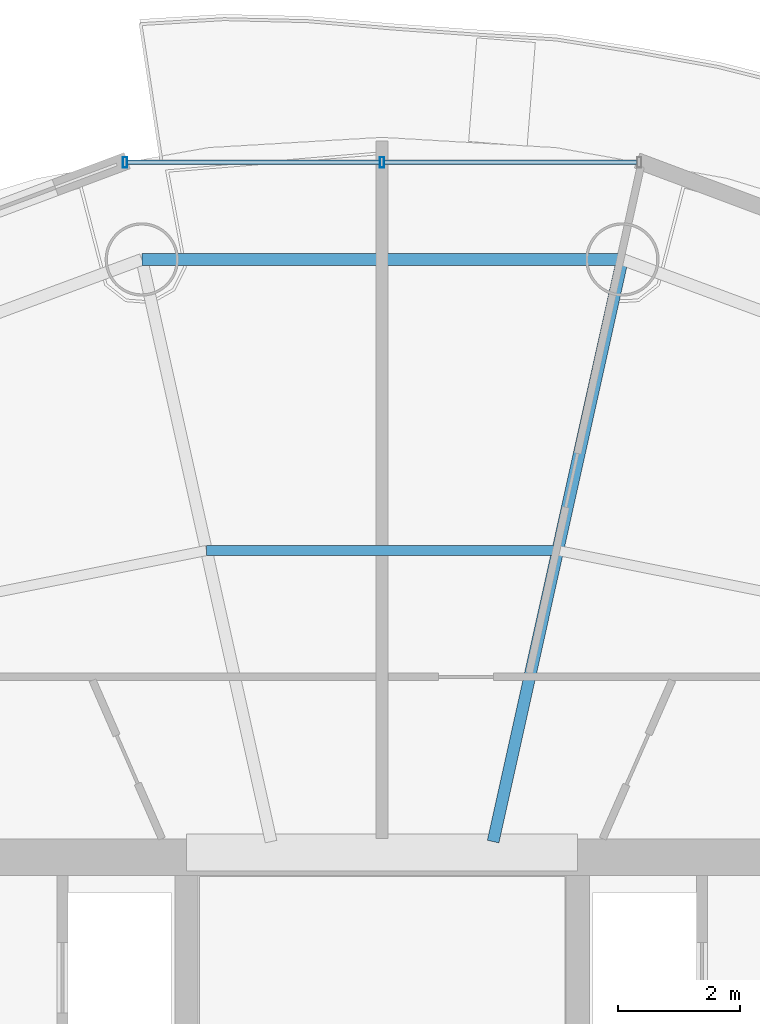
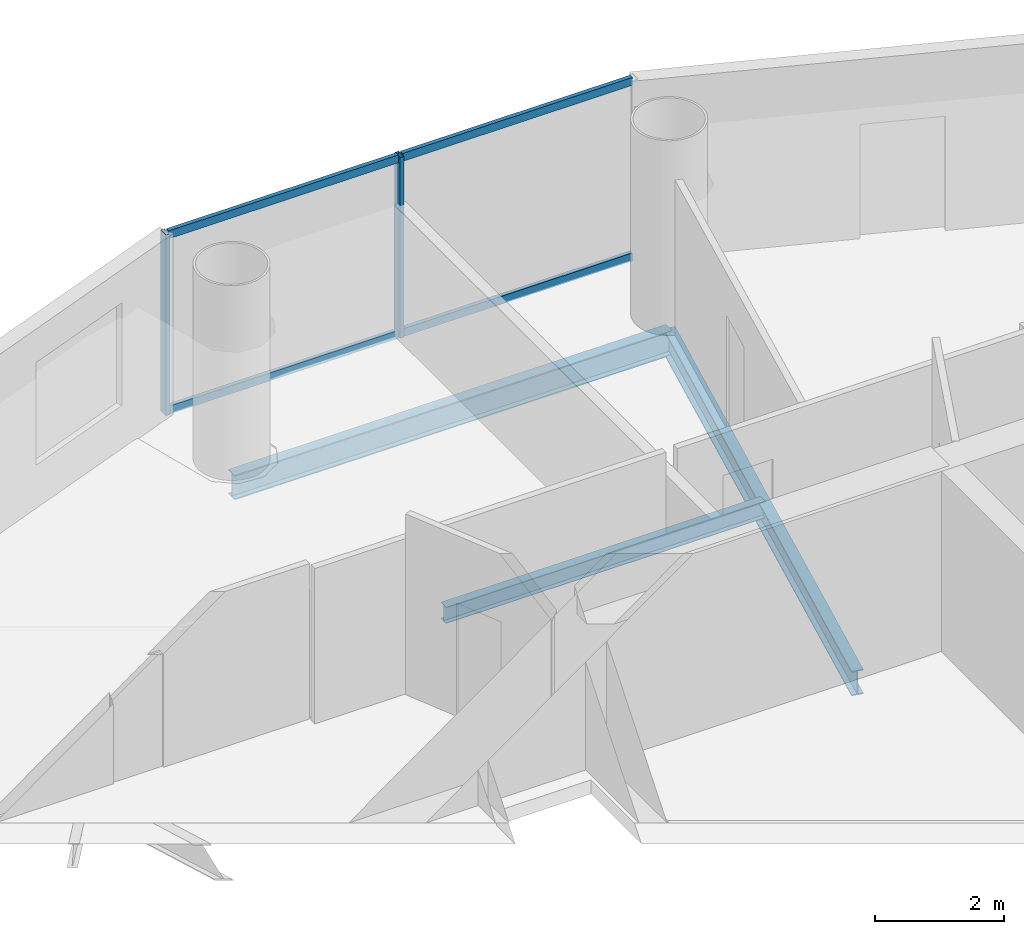
# One storey, part 16 of 27: 6 members, 3 beams, 1 element without a shape of its own.
"""IFC4 building model written with IfcOpenShell, lengths in metres."""

from ifc_helpers import new_model, si_unit, direction, frame, origin, origin_2d, place, context, subcontext, project, spatial, hollow_rectangle, i_section, extrude, source, transform, mapped, material, material_profile, profile_set, type_object, element, aggregate, save


model = new_model("IFC4")

# Units and contexts
model_context = context("Model", 3, precision=1e-05, world=origin(), true_north=direction((-0.2419218956, 0.970295726276)))
body_context = subcontext(model_context, "Body", "Model", "MODEL_VIEW")
ifc_project = project(units=[si_unit("LENGTHUNIT", "METRE"), si_unit("AREAUNIT", "SQUARE_METRE"), si_unit("VOLUMEUNIT", "CUBIC_METRE"), si_unit("PLANEANGLEUNIT", "RADIAN"), si_unit("MASSUNIT", "GRAM", prefix="KILO")], contexts=[model_context])

# Site, building, storey
site_placement = place(None, origin())
site = spatial("IfcSite", under=ifc_project, at=site_placement, CompositionType="ELEMENT")
building_placement = place(site_placement, origin())
building = spatial("IfcBuilding", under=site, at=building_placement, Name="Cobrevalo Terracotta Tower", CompositionType="ELEMENT")
storey_placement = place(building_placement, frame((0.0, 0.0, 194.89990234375)))
storey = spatial("IfcBuildingStorey", under=building, at=storey_placement, Name="L51", CompositionType="ELEMENT", Elevation=194.89990234375)

# Beams
ifc_material_1 = material(Name="Steel S355", Category="steel")
ifc_material_profile_1 = material_profile(ifc_material_1, i_section(OverallWidth=0.194091796875, OverallDepth=0.468994140625, WebThickness=0.011474609375, FlangeThickness=0.0205078125, at=origin_2d()), Name="W 460x106")
ifc_profile_set_1 = profile_set([ifc_material_profile_1], Name="Steel S355")
beam_type_1 = type_object("IfcBeamType", Name="Structural Beam W 460x106 (Steel S355)", PredefinedType="BEAM", material=ifc_profile_set_1)
beam_1_placement = place(storey_placement, frame((41.93115234375, 44.503173828125, -0.49951171875), z_axis=(-0.216782061165, -0.976220025382, 0.0), x_axis=(0.976220025382, -0.216782061165, 0.0)))
element("IfcBeam", 1, at=beam_1_placement, inside=storey, type_object=beam_type_1, Name="L51 radial floor girder 04", PredefinedType="BEAM", context=body_context, shape_type="SweptSolid", body=[
    extrude(i_section(OverallWidth=0.194091796875, OverallDepth=0.468994140625, WebThickness=0.011474609375, FlangeThickness=0.0205078125, at=origin_2d()), origin(), (0.0, 0.0, 1.0), 9.755126953125),
])
ifc_material_profile_2 = material_profile(ifc_material_1, i_section(OverallWidth=0.1650390625, OverallDepth=0.31005859375, WebThickness=0.005859375, FlangeThickness=0.009765625, at=origin_2d()), Name="W 310x38.7")
ifc_profile_set_2 = profile_set([ifc_material_profile_2], Name="Steel S355")
beam_type_2 = type_object("IfcBeamType", Name="Structural Joist W 310x38.7 (Steel S355)", PredefinedType="JOIST", material=ifc_profile_set_2)
beam_2_placement = place(storey_placement, frame((40.873779296875, 39.74169921875, -0.419921875), z_axis=(-1.0, 0.0, 0.0), x_axis=(0.0, -1.0, 0.0)))
element("IfcBeam", 2, at=beam_2_placement, inside=storey, type_object=beam_type_2, Name="L51 circumferential secondary floor joist 04", PredefinedType="JOIST", context=body_context, shape_type="SweptSolid", body=[
    extrude(i_section(OverallWidth=0.1650390625, OverallDepth=0.31005859375, WebThickness=0.005859375, FlangeThickness=0.009765625, at=origin_2d()), origin(), (0.0, 0.0, 1.0), 5.74755859375),
])
ifc_material_profile_3 = material_profile(ifc_material_1, i_section(OverallWidth=0.194091796875, OverallDepth=0.468994140625, WebThickness=0.011474609375, FlangeThickness=0.0205078125, at=origin_2d()), Name="W 460x106")
ifc_profile_set_3 = profile_set([ifc_material_profile_3], Name="Steel S355")
beam_type_3 = type_object("IfcBeamType", Name="Structural Spandrel W 460x106 (Steel S355)", PredefinedType="SPANDREL", material=ifc_profile_set_3)
beam_3_placement = place(storey_placement, frame((41.93115234375, 44.503173828125, -0.49951171875), z_axis=(-1.0, 0.0, 0.0), x_axis=(0.0, -1.0, 0.0)))
element("IfcBeam", 3, at=beam_3_placement, inside=storey, type_object=beam_type_3, Name="L51 perimeter ring spandrel 04", PredefinedType="SPANDREL", context=body_context, shape_type="SweptSolid", body=[
    extrude(i_section(OverallWidth=0.194091796875, OverallDepth=0.468994140625, WebThickness=0.011474609375, FlangeThickness=0.0205078125, at=origin_2d()), origin(), (0.0, 0.0, 1.0), 7.8623046875),
])

# Curtain wall, members
ifc_material_2 = material(Name="Anodized aluminium", Category="aluminium")
curtain_wall_type = type_object("IfcCurtainWallType", Name="Mid-tower high-wind unitised curtain wall CW-U2", PredefinedType="NOTDEFINED", material=ifc_material_2)
curtain_wall_placement = place(storey_placement, origin())
curtain_wall = element("IfcCurtainWall", 4, at=curtain_wall_placement, inside=storey, type_object=curtain_wall_type, Name="L51 curtain wall CW-L51-S04", PredefinedType="NOTDEFINED")
ifc_material_profile_4 = material_profile(ifc_material_2, hollow_rectangle(XDim=0.074951171875, YDim=0.14990234375, WallThickness=0.00439453125, at=origin_2d()), Name="CWT 75x150")
ifc_profile_set_4 = profile_set([ifc_material_profile_4], Name="Anodized aluminium")
member_type_1 = type_object("IfcMemberType", Name="Tower unitised aluminium transom 75x150", PredefinedType="USERDEFINED", material=ifc_profile_set_4)
shared_shape_1 = source(origin(), body_context, "Body", "SweptSolid", [
    extrude(hollow_rectangle(XDim=0.074951171875, YDim=0.14990234375, WallThickness=0.00439453125, at=origin_2d()), origin(), (0.0, 0.0, 1.0), 4.127197265625),
])
member_1_placement = place(storey_placement, frame((42.167236328125, 46.092041015625, 0.050048828125), z_axis=(-1.0, 0.0, 0.0), x_axis=(0.0, -1.0, 0.0)))
member_1 = element("IfcMember", 5, at=member_1_placement, type_object=member_type_1, Name="CW-L51-S04 transom B01-T1", ObjectType="TRANSOM", PredefinedType="USERDEFINED", context=body_context, shape_type="MappedRepresentation", body=[
    mapped(shared_shape_1, transform((0.0, 0.0, 0.0), scale=1.0)),
])
member_2_placement = place(storey_placement, frame((42.167236328125, 46.092041015625, 3.385009765625), z_axis=(-1.0, 0.0, 0.0), x_axis=(0.0, -1.0, 0.0)))
member_2 = element("IfcMember", 6, at=member_2_placement, type_object=member_type_1, Name="CW-L51-S04 transom B01-T2", ObjectType="TRANSOM", PredefinedType="USERDEFINED", context=body_context, shape_type="MappedRepresentation", body=[
    mapped(shared_shape_1, transform((0.0, 0.0, 0.0), scale=1.0)),
])
member_3_placement = place(storey_placement, frame((37.9599609375, 46.092041015625, 0.050048828125), z_axis=(-1.0, 0.0, 0.0), x_axis=(0.0, -1.0, 0.0)))
member_3 = element("IfcMember", 7, at=member_3_placement, type_object=member_type_1, Name="CW-L51-S04 transom B02-T1", ObjectType="TRANSOM", PredefinedType="USERDEFINED", context=body_context, shape_type="MappedRepresentation", body=[
    mapped(shared_shape_1, transform((0.0, 0.0, 0.0), scale=1.0)),
])
member_4_placement = place(storey_placement, frame((37.9599609375, 46.092041015625, 3.385009765625), z_axis=(-1.0, 0.0, 0.0), x_axis=(0.0, -1.0, 0.0)))
member_4 = element("IfcMember", 8, at=member_4_placement, type_object=member_type_1, Name="CW-L51-S04 transom B02-T2", ObjectType="TRANSOM", PredefinedType="USERDEFINED", context=body_context, shape_type="MappedRepresentation", body=[
    mapped(shared_shape_1, transform((0.0, 0.0, 0.0), scale=1.0)),
])
ifc_material_profile_5 = material_profile(ifc_material_2, hollow_rectangle(XDim=0.070068359375, YDim=0.169921875, WallThickness=0.00439453125, at=origin_2d()), Name="CWM 70x170")
ifc_profile_set_5 = profile_set([ifc_material_profile_5], Name="Anodized aluminium")
member_type_2 = type_object("IfcMemberType", Name="Upper tower unitised mullion 70x170", PredefinedType="MULLION", material=ifc_profile_set_5)
shared_shape_2 = source(origin(), body_context, "Body", "SweptSolid", [
    extrude(hollow_rectangle(XDim=0.070068359375, YDim=0.169921875, WallThickness=0.00439453125, at=origin_2d()), origin(), (0.0, 0.0, 1.0), 3.43505859375),
])
member_5_placement = place(storey_placement, frame((38.0, 46.092041015625, 0.0), z_axis=(0.0, 0.0, 1.0), x_axis=(-1.0, 0.0, 0.0)))
member_5 = element("IfcMember", 9, at=member_5_placement, type_object=member_type_2, Name="CW-L51-S04 vertical mullion 02", PredefinedType="MULLION", context=body_context, shape_type="MappedRepresentation", body=[
    mapped(shared_shape_2, transform((0.0, 0.0, 0.0), scale=1.0)),
])
member_6_placement = place(storey_placement, frame((33.79296875, 46.092041015625, 0.0), z_axis=(0.0, 0.0, 1.0), x_axis=(-1.0, 0.0, 0.0)))
member_6 = element("IfcMember", 10, at=member_6_placement, type_object=member_type_2, Name="CW-L51-S04 vertical mullion 03", PredefinedType="MULLION", context=body_context, shape_type="MappedRepresentation", body=[
    mapped(shared_shape_2, transform((0.0, 0.0, 0.0), scale=1.0)),
])
aggregate(curtain_wall, [member_5, member_6, member_1, member_2, member_3, member_4])

save(model, "model.ifc")
